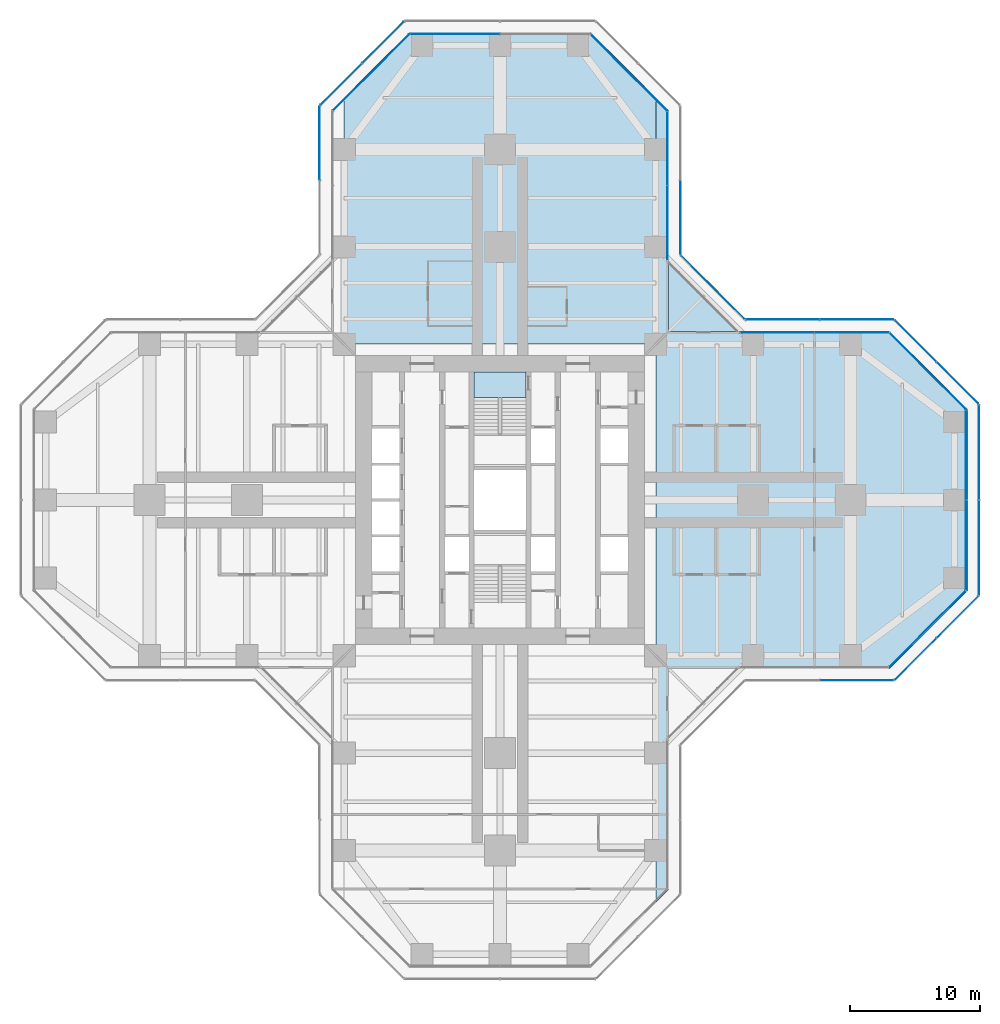
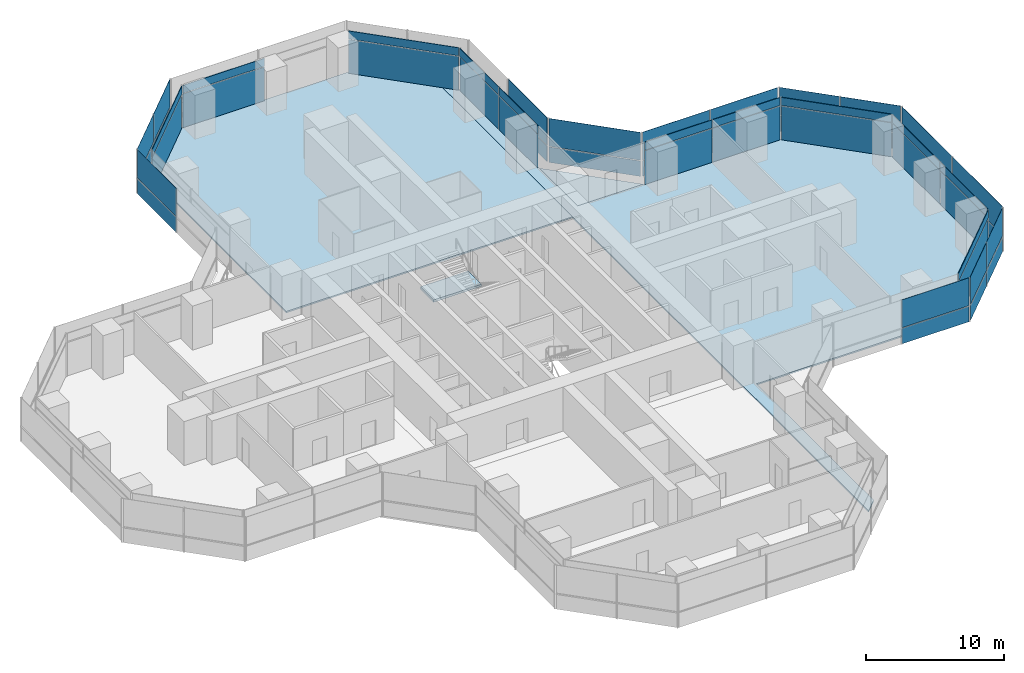
# One storey, part 16 of 22: 50 plates, 4 slabs, 18 elements without a shape of their own.
"""IFC4 building model written with IfcOpenShell, lengths in metres."""

from ifc_helpers import new_model, si_unit, direction, frame, origin, origin_2d, place, context, subcontext, project, spatial, polyline, rectangle, outline, extrude, material, layer, layer_set, type_object, element, aggregate, save


model = new_model("IFC4")

# Units and contexts
model_context = context("Model", 3, precision=1e-05, world=origin(), true_north=direction((0.0, 1.0)))
body_context = subcontext(model_context, "Body", "Model", "MODEL_VIEW")
ifc_project = project(units=[si_unit("LENGTHUNIT", "METRE"), si_unit("AREAUNIT", "SQUARE_METRE"), si_unit("VOLUMEUNIT", "CUBIC_METRE"), si_unit("PLANEANGLEUNIT", "RADIAN"), si_unit("MASSUNIT", "GRAM", prefix="KILO")], contexts=[model_context])

# Site, building, storey
site_placement = place(None, origin())
site = spatial("IfcSite", under=ifc_project, at=site_placement, CompositionType="ELEMENT")
building_placement = place(site_placement, origin())
building = spatial("IfcBuilding", under=site, at=building_placement, Name="Mizan Broadcast Tower", CompositionType="ELEMENT")
storey_placement = place(building_placement, frame((0.0, 0.0, 59.10009765625)))
storey = spatial("IfcBuildingStorey", under=building, at=storey_placement, Name="L11", CompositionType="ELEMENT", Elevation=59.10009765625)

# Slabs
ifc_material_1 = material(Name="Concrete C32/40", Category="concrete")
ifc_layer_1 = layer(ifc_material_1, 0.1298828125)
ifc_layer_set_1 = layer_set([ifc_layer_1], Name="Concrete C32/40")
slab_type_1 = type_object("IfcSlabType", Name="COMPOSITE DECK SLAB 130", PredefinedType="FLOOR", material=ifc_layer_set_1)
slab_1_placement = place(storey_placement, frame((0.0, 0.0, -0.130126953125)))
element("IfcSlab", 1, at=slab_1_placement, inside=storey, type_object=slab_type_1, Name="Floor slab L11 east arm", PredefinedType="FLOOR", context=body_context, shape_type="SweptSolid", body=[
    extrude(outline(polyline([(12.0, -31.0), (13.0, -30.0), (13.0, -13.0), (30.0, -13.0), (36.0, -7.0), (36.0, 7.0), (30.0, 13.0), (13.0, 13.0), (13.0, 30.0), (12.0, 31.0), (12.0, -31.0)])), origin(), (0.0, 0.0, 1.0), 0.130126953125),
])
slab_2_placement = place(storey_placement, frame((0.0, 0.0, -0.130126953125)))
element("IfcSlab", 2, at=slab_2_placement, inside=storey, type_object=slab_type_1, Name="Floor slab L11 north arm", PredefinedType="FLOOR", context=body_context, shape_type="SweptSolid", body=[
    extrude(outline(polyline([(-7.0, 36.0), (-12.0, 31.0), (-12.0, 12.0), (12.0, 12.0), (12.0, 31.0), (7.0, 36.0), (-7.0, 36.0)])), origin(), (0.0, 0.0, 1.0), 0.130126953125),
])

# Curtain wall, plate
ifc_material_2 = material(Name="Aluminium framed glazing", Category="aluminium")
curtain_wall_type_1 = type_object("IfcCurtainWallType", Name="INNER SKIN LOW ZONE", PredefinedType="USERDEFINED", material=ifc_material_2)
curtain_wall_1_placement = place(storey_placement, origin())
curtain_wall_1 = element("IfcCurtainWall", 3, at=curtain_wall_1_placement, inside=storey, type_object=curtain_wall_type_1, Name="Inner skin low zone L11 E chamfer", ObjectType="INNER SKIN LOW ZONE", PredefinedType="USERDEFINED")
ifc_material_3 = material(Name="Double glazing, clear low-e", Category="glass")
ifc_layer_2 = layer(ifc_material_3, 0.028076171875)
ifc_layer_set_2 = layer_set([ifc_layer_2], Name="Double glazing, clear low-e")
plate_type_1 = type_object("IfcPlateType", Name="INNER SKIN GLAZING UNIT", PredefinedType="CURTAIN_PANEL", material=ifc_layer_set_2)
plate_1_placement = place(storey_placement, frame((32.92919921875, -9.92919921875, 0.0), z_axis=(0.0, 0.0, 1.0), x_axis=(0.707106781187, 0.707106781187, 0.0)))
plate_1 = element("IfcPlate", 4, at=plate_1_placement, type_object=plate_type_1, Name="Inner skin low zone L11 E chamfer panel 1.1", PredefinedType="CURTAIN_PANEL", context=body_context, shape_type="SweptSolid", body=[
    extrude(rectangle(XDim=8.282470703125, YDim=0.028076171875, at=origin_2d()), origin(), (0.0, 0.0, 1.0), 3.0),
])

# Curtain wall, plates
curtain_wall_2_placement = place(storey_placement, origin())
curtain_wall_2 = element("IfcCurtainWall", 5, at=curtain_wall_2_placement, inside=storey, type_object=curtain_wall_type_1, Name="Inner skin low zone L11 E end", ObjectType="INNER SKIN LOW ZONE", PredefinedType="USERDEFINED")
plate_2_placement = place(storey_placement, frame((35.89990234375, -3.46435546875, 0.0), z_axis=(0.0, 0.0, 1.0), x_axis=(0.0, 1.0, 0.0)))
plate_2 = element("IfcPlate", 6, at=plate_2_placement, type_object=plate_type_1, Name="Inner skin low zone L11 E end panel 1.1", PredefinedType="CURTAIN_PANEL", context=body_context, shape_type="SweptSolid", body=[
    extrude(rectangle(XDim=6.86865234375, YDim=0.028076171875, at=origin_2d()), origin(), (0.0, 0.0, 1.0), 3.0),
])
plate_3_placement = place(storey_placement, frame((35.89990234375, 3.46435546875, 0.0), z_axis=(0.0, 0.0, 1.0), x_axis=(0.0, 1.0, 0.0)))
plate_3 = element("IfcPlate", 7, at=plate_3_placement, type_object=plate_type_1, Name="Inner skin low zone L11 E end panel 2.1", PredefinedType="CURTAIN_PANEL", context=body_context, shape_type="SweptSolid", body=[
    extrude(rectangle(XDim=6.86865234375, YDim=0.028076171875, at=origin_2d()), origin(), (0.0, 0.0, 1.0), 3.0),
])

# Curtain wall, plate
curtain_wall_3_placement = place(storey_placement, origin())
curtain_wall_3 = element("IfcCurtainWall", 8, at=curtain_wall_3_placement, inside=storey, type_object=curtain_wall_type_1, Name="Inner skin low zone L11 E chamfer", ObjectType="INNER SKIN LOW ZONE", PredefinedType="USERDEFINED")
plate_4_placement = place(storey_placement, frame((32.92919921875, 9.92919921875, 0.0), z_axis=(0.0, 0.0, 1.0), x_axis=(-0.707106781187, 0.707106781187, 0.0)))
plate_4 = element("IfcPlate", 9, at=plate_4_placement, type_object=plate_type_1, Name="Inner skin low zone L11 E chamfer panel 1.1", PredefinedType="CURTAIN_PANEL", context=body_context, shape_type="SweptSolid", body=[
    extrude(rectangle(XDim=8.282470703125, YDim=0.028076171875, at=origin_2d()), origin(), (0.0, 0.0, 1.0), 3.0),
])

# Curtain wall, plates
curtain_wall_4_placement = place(storey_placement, origin())
curtain_wall_4 = element("IfcCurtainWall", 10, at=curtain_wall_4_placement, inside=storey, type_object=curtain_wall_type_1, Name="Inner skin low zone L11 E side", ObjectType="INNER SKIN LOW ZONE", PredefinedType="USERDEFINED")
plate_5_placement = place(storey_placement, frame((27.078857421875, 12.89990234375, 0.0), z_axis=(0.0, 0.0, 1.0), x_axis=(-1.0, 0.0, 0.0)))
plate_5 = element("IfcPlate", 11, at=plate_5_placement, type_object=plate_type_1, Name="Inner skin low zone L11 E side panel 1.1", PredefinedType="CURTAIN_PANEL", context=body_context, shape_type="SweptSolid", body=[
    extrude(rectangle(XDim=5.639404296875, YDim=0.028076171875, at=origin_2d()), origin(), (0.0, 0.0, 1.0), 3.0),
])
plate_6_placement = place(storey_placement, frame((21.379638671875, 12.89990234375, 0.0), z_axis=(0.0, 0.0, 1.0), x_axis=(-1.0, 0.0, 0.0)))
plate_6 = element("IfcPlate", 12, at=plate_6_placement, type_object=plate_type_1, Name="Inner skin low zone L11 E side panel 2.1", PredefinedType="CURTAIN_PANEL", context=body_context, shape_type="SweptSolid", body=[
    extrude(rectangle(XDim=5.639404296875, YDim=0.028076171875, at=origin_2d()), origin(), (0.0, 0.0, 1.0), 3.0),
])

curtain_wall_5_placement = place(storey_placement, origin())
curtain_wall_5 = element("IfcCurtainWall", 13, at=curtain_wall_5_placement, inside=storey, type_object=curtain_wall_type_1, Name="Inner skin low zone L11 N side", ObjectType="INNER SKIN LOW ZONE", PredefinedType="USERDEFINED")
plate_7_placement = place(storey_placement, frame((12.89990234375, 21.379638671875, 0.0), z_axis=(0.0, 0.0, 1.0), x_axis=(0.0, 1.0, 0.0)))
plate_7 = element("IfcPlate", 14, at=plate_7_placement, type_object=plate_type_1, Name="Inner skin low zone L11 N side panel 1.1", PredefinedType="CURTAIN_PANEL", context=body_context, shape_type="SweptSolid", body=[
    extrude(rectangle(XDim=5.639404296875, YDim=0.028076171875, at=origin_2d()), origin(), (0.0, 0.0, 1.0), 3.0),
])
plate_8_placement = place(storey_placement, frame((12.89990234375, 27.078857421875, 0.0), z_axis=(0.0, 0.0, 1.0), x_axis=(0.0, 1.0, 0.0)))
plate_8 = element("IfcPlate", 15, at=plate_8_placement, type_object=plate_type_1, Name="Inner skin low zone L11 N side panel 2.1", PredefinedType="CURTAIN_PANEL", context=body_context, shape_type="SweptSolid", body=[
    extrude(rectangle(XDim=5.639404296875, YDim=0.028076171875, at=origin_2d()), origin(), (0.0, 0.0, 1.0), 3.0),
])

# Curtain wall, plate
curtain_wall_6_placement = place(storey_placement, origin())
curtain_wall_6 = element("IfcCurtainWall", 16, at=curtain_wall_6_placement, inside=storey, type_object=curtain_wall_type_1, Name="Inner skin low zone L11 N chamfer", ObjectType="INNER SKIN LOW ZONE", PredefinedType="USERDEFINED")
plate_9_placement = place(storey_placement, frame((9.92919921875, 32.92919921875, 0.0), z_axis=(0.0, 0.0, 1.0), x_axis=(-0.707106781187, 0.707106781187, 0.0)))
plate_9 = element("IfcPlate", 17, at=plate_9_placement, type_object=plate_type_1, Name="Inner skin low zone L11 N chamfer panel 1.1", PredefinedType="CURTAIN_PANEL", context=body_context, shape_type="SweptSolid", body=[
    extrude(rectangle(XDim=8.282470703125, YDim=0.028076171875, at=origin_2d()), origin(), (0.0, 0.0, 1.0), 3.0),
])

curtain_wall_7_placement = place(storey_placement, origin())
curtain_wall_7 = element("IfcCurtainWall", 18, at=curtain_wall_7_placement, inside=storey, type_object=curtain_wall_type_1, Name="Inner skin low zone L11 N end", ObjectType="INNER SKIN LOW ZONE", PredefinedType="USERDEFINED")
plate_10_placement = place(storey_placement, frame((-3.46435546875, 35.89990234375, 0.0), z_axis=(0.0, 0.0, 1.0), x_axis=(-1.0, 0.0, 0.0)))
plate_10 = element("IfcPlate", 19, at=plate_10_placement, type_object=plate_type_1, Name="Inner skin low zone L11 N end panel 2.1", PredefinedType="CURTAIN_PANEL", context=body_context, shape_type="SweptSolid", body=[
    extrude(rectangle(XDim=6.86865234375, YDim=0.028076171875, at=origin_2d()), origin(), (0.0, 0.0, 1.0), 3.0),
])

curtain_wall_8_placement = place(storey_placement, origin())
curtain_wall_8 = element("IfcCurtainWall", 20, at=curtain_wall_8_placement, inside=storey, type_object=curtain_wall_type_1, Name="Inner skin low zone L11 N chamfer", ObjectType="INNER SKIN LOW ZONE", PredefinedType="USERDEFINED")
plate_11_placement = place(storey_placement, frame((-9.92919921875, 32.92919921875, 0.0), z_axis=(0.0, 0.0, 1.0), x_axis=(-0.707106781187, -0.707106781187, 0.0)))
plate_11 = element("IfcPlate", 21, at=plate_11_placement, type_object=plate_type_1, Name="Inner skin low zone L11 N chamfer panel 1.1", PredefinedType="CURTAIN_PANEL", context=body_context, shape_type="SweptSolid", body=[
    extrude(rectangle(XDim=8.282470703125, YDim=0.028076171875, at=origin_2d()), origin(), (0.0, 0.0, 1.0), 3.0),
])

# Plate
ifc_material_4 = material(Name="Insulated aluminium spandrel panel, pale anodised", Category="aluminium")
ifc_layer_3 = layer(ifc_material_4, 0.050048828125)
ifc_layer_set_3 = layer_set([ifc_layer_3], Name="Insulated aluminium spandrel panel, pale anodised")
plate_type_2 = type_object("IfcPlateType", Name="INNER SKIN SPANDREL PANEL", PredefinedType="CURTAIN_PANEL", material=ifc_layer_set_3)
plate_12_placement = place(storey_placement, frame((32.92919921875, -9.92919921875, 3.059814453125), z_axis=(0.0, 0.0, 1.0), x_axis=(0.707106781187, 0.707106781187, 0.0)))
plate_12 = element("IfcPlate", 22, at=plate_12_placement, type_object=plate_type_2, Name="Inner skin low zone L11 E chamfer panel 1.2", PredefinedType="CURTAIN_PANEL", context=body_context, shape_type="SweptSolid", body=[
    extrude(rectangle(XDim=8.282470703125, YDim=0.050048828125, at=origin_2d()), origin(), (0.0, 0.0, 1.0), 0.7099609375),
])

aggregate(curtain_wall_1, [plate_1, plate_12])

plate_13_placement = place(storey_placement, frame((35.89990234375, -3.46435546875, 3.059814453125), z_axis=(0.0, 0.0, 1.0), x_axis=(0.0, 1.0, 0.0)))
plate_13 = element("IfcPlate", 23, at=plate_13_placement, type_object=plate_type_2, Name="Inner skin low zone L11 E end panel 1.2", PredefinedType="CURTAIN_PANEL", context=body_context, shape_type="SweptSolid", body=[
    extrude(rectangle(XDim=6.86865234375, YDim=0.050048828125, at=origin_2d()), origin(), (0.0, 0.0, 1.0), 0.7099609375),
])

plate_14_placement = place(storey_placement, frame((35.89990234375, 3.46435546875, 3.059814453125), z_axis=(0.0, 0.0, 1.0), x_axis=(0.0, 1.0, 0.0)))
plate_14 = element("IfcPlate", 24, at=plate_14_placement, type_object=plate_type_2, Name="Inner skin low zone L11 E end panel 2.2", PredefinedType="CURTAIN_PANEL", context=body_context, shape_type="SweptSolid", body=[
    extrude(rectangle(XDim=6.86865234375, YDim=0.050048828125, at=origin_2d()), origin(), (0.0, 0.0, 1.0), 0.7099609375),
])

aggregate(curtain_wall_2, [plate_2, plate_13, plate_3, plate_14])

plate_15_placement = place(storey_placement, frame((32.92919921875, 9.92919921875, 3.059814453125), z_axis=(0.0, 0.0, 1.0), x_axis=(-0.707106781187, 0.707106781187, 0.0)))
plate_15 = element("IfcPlate", 25, at=plate_15_placement, type_object=plate_type_2, Name="Inner skin low zone L11 E chamfer panel 1.2", PredefinedType="CURTAIN_PANEL", context=body_context, shape_type="SweptSolid", body=[
    extrude(rectangle(XDim=8.282470703125, YDim=0.050048828125, at=origin_2d()), origin(), (0.0, 0.0, 1.0), 0.7099609375),
])

aggregate(curtain_wall_3, [plate_4, plate_15])

plate_16_placement = place(storey_placement, frame((27.078857421875, 12.89990234375, 3.059814453125), z_axis=(0.0, 0.0, 1.0), x_axis=(-1.0, 0.0, 0.0)))
plate_16 = element("IfcPlate", 26, at=plate_16_placement, type_object=plate_type_2, Name="Inner skin low zone L11 E side panel 1.2", PredefinedType="CURTAIN_PANEL", context=body_context, shape_type="SweptSolid", body=[
    extrude(rectangle(XDim=5.639404296875, YDim=0.050048828125, at=origin_2d()), origin(), (0.0, 0.0, 1.0), 0.7099609375),
])

plate_17_placement = place(storey_placement, frame((21.379638671875, 12.89990234375, 3.059814453125), z_axis=(0.0, 0.0, 1.0), x_axis=(-1.0, 0.0, 0.0)))
plate_17 = element("IfcPlate", 27, at=plate_17_placement, type_object=plate_type_2, Name="Inner skin low zone L11 E side panel 2.2", PredefinedType="CURTAIN_PANEL", context=body_context, shape_type="SweptSolid", body=[
    extrude(rectangle(XDim=5.639404296875, YDim=0.050048828125, at=origin_2d()), origin(), (0.0, 0.0, 1.0), 0.7099609375),
])

aggregate(curtain_wall_4, [plate_5, plate_16, plate_6, plate_17])

plate_18_placement = place(storey_placement, frame((12.89990234375, 21.379638671875, 3.059814453125), z_axis=(0.0, 0.0, 1.0), x_axis=(0.0, 1.0, 0.0)))
plate_18 = element("IfcPlate", 28, at=plate_18_placement, type_object=plate_type_2, Name="Inner skin low zone L11 N side panel 1.2", PredefinedType="CURTAIN_PANEL", context=body_context, shape_type="SweptSolid", body=[
    extrude(rectangle(XDim=5.639404296875, YDim=0.050048828125, at=origin_2d()), origin(), (0.0, 0.0, 1.0), 0.7099609375),
])

plate_19_placement = place(storey_placement, frame((12.89990234375, 27.078857421875, 3.059814453125), z_axis=(0.0, 0.0, 1.0), x_axis=(0.0, 1.0, 0.0)))
plate_19 = element("IfcPlate", 29, at=plate_19_placement, type_object=plate_type_2, Name="Inner skin low zone L11 N side panel 2.2", PredefinedType="CURTAIN_PANEL", context=body_context, shape_type="SweptSolid", body=[
    extrude(rectangle(XDim=5.639404296875, YDim=0.050048828125, at=origin_2d()), origin(), (0.0, 0.0, 1.0), 0.7099609375),
])

aggregate(curtain_wall_5, [plate_7, plate_18, plate_8, plate_19])

plate_20_placement = place(storey_placement, frame((9.92919921875, 32.92919921875, 3.059814453125), z_axis=(0.0, 0.0, 1.0), x_axis=(-0.707106781187, 0.707106781187, 0.0)))
plate_20 = element("IfcPlate", 30, at=plate_20_placement, type_object=plate_type_2, Name="Inner skin low zone L11 N chamfer panel 1.2", PredefinedType="CURTAIN_PANEL", context=body_context, shape_type="SweptSolid", body=[
    extrude(rectangle(XDim=8.282470703125, YDim=0.050048828125, at=origin_2d()), origin(), (0.0, 0.0, 1.0), 0.7099609375),
])

aggregate(curtain_wall_6, [plate_9, plate_20])

plate_21_placement = place(storey_placement, frame((-3.46435546875, 35.89990234375, 3.059814453125), z_axis=(0.0, 0.0, 1.0), x_axis=(-1.0, 0.0, 0.0)))
plate_21 = element("IfcPlate", 31, at=plate_21_placement, type_object=plate_type_2, Name="Inner skin low zone L11 N end panel 2.2", PredefinedType="CURTAIN_PANEL", context=body_context, shape_type="SweptSolid", body=[
    extrude(rectangle(XDim=6.86865234375, YDim=0.050048828125, at=origin_2d()), origin(), (0.0, 0.0, 1.0), 0.7099609375),
])

aggregate(curtain_wall_7, [plate_10, plate_21])

plate_22_placement = place(storey_placement, frame((-9.92919921875, 32.92919921875, 3.059814453125), z_axis=(0.0, 0.0, 1.0), x_axis=(-0.707106781187, -0.707106781187, 0.0)))
plate_22 = element("IfcPlate", 32, at=plate_22_placement, type_object=plate_type_2, Name="Inner skin low zone L11 N chamfer panel 1.2", PredefinedType="CURTAIN_PANEL", context=body_context, shape_type="SweptSolid", body=[
    extrude(rectangle(XDim=8.282470703125, YDim=0.050048828125, at=origin_2d()), origin(), (0.0, 0.0, 1.0), 0.7099609375),
])

aggregate(curtain_wall_8, [plate_11, plate_22])

# Curtain wall, plates
ifc_material_5 = material(Name="Aluminium framed glazing", Category="aluminium")
curtain_wall_type_2 = type_object("IfcCurtainWallType", Name="OUTER SKIN", PredefinedType="USERDEFINED", material=ifc_material_5)
curtain_wall_9_placement = place(storey_placement, origin())
curtain_wall_9 = element("IfcCurtainWall", 33, at=curtain_wall_9_placement, inside=storey, type_object=curtain_wall_type_2, Name="Outer skin L11 E chamfer", ObjectType="OUTER SKIN", PredefinedType="USERDEFINED")
ifc_material_6 = material(Name="Laminated clear glass", Category="glass")
ifc_layer_4 = layer(ifc_material_6, 0.02001953125)
ifc_layer_set_4 = layer_set([ifc_layer_4], Name="Laminated clear glass")
plate_type_3 = type_object("IfcPlateType", Name="OUTER SKIN CLEAR GLASS", PredefinedType="CURTAIN_PANEL", material=ifc_layer_set_4)
plate_23_placement = place(storey_placement, frame((32.018798828125, -12.254150390625, -0.000244140625), z_axis=(0.0, 0.0, 1.0), x_axis=(0.707106781187, 0.707106781187, 0.0)))
plate_23 = element("IfcPlate", 34, at=plate_23_placement, type_object=plate_type_3, Name="Outer skin L11 E chamfer panel 1.1", PredefinedType="CURTAIN_PANEL", context=body_context, shape_type="SweptSolid", body=[
    extrude(rectangle(XDim=4.495361328125, YDim=0.02001953125, at=origin_2d()), origin(), (0.0, 0.0, 1.0), 1.3701171875),
])
plate_24_placement = place(storey_placement, frame((32.018798828125, -12.254150390625, 1.4296875), z_axis=(0.0, 0.0, 1.0), x_axis=(0.707106781187, 0.707106781187, 0.0)))
plate_24 = element("IfcPlate", 35, at=plate_24_placement, type_object=plate_type_3, Name="Outer skin L11 E chamfer panel 1.2", PredefinedType="CURTAIN_PANEL", context=body_context, shape_type="SweptSolid", body=[
    extrude(rectangle(XDim=4.495361328125, YDim=0.02001953125, at=origin_2d()), origin(), (0.0, 0.0, 1.0), 2.469970703125),
])

curtain_wall_10_placement = place(storey_placement, origin())
curtain_wall_10 = element("IfcCurtainWall", 36, at=curtain_wall_10_placement, inside=storey, type_object=curtain_wall_type_2, Name="Outer skin L11 E end", ObjectType="OUTER SKIN", PredefinedType="USERDEFINED")
plate_25_placement = place(storey_placement, frame((36.89990234375, -3.66650390625, -0.000244140625), z_axis=(0.0, 0.0, 1.0), x_axis=(0.0, 1.0, 0.0)))
plate_25 = element("IfcPlate", 37, at=plate_25_placement, type_object=plate_type_3, Name="Outer skin L11 E end panel 1.1", PredefinedType="CURTAIN_PANEL", context=body_context, shape_type="SweptSolid", body=[
    extrude(rectangle(XDim=7.252685546875, YDim=0.02001953125, at=origin_2d()), origin(), (0.0, 0.0, 1.0), 1.3701171875),
])
plate_26_placement = place(storey_placement, frame((36.89990234375, -3.66650390625, 1.4296875), z_axis=(0.0, 0.0, 1.0), x_axis=(0.0, 1.0, 0.0)))
plate_26 = element("IfcPlate", 38, at=plate_26_placement, type_object=plate_type_3, Name="Outer skin L11 E end panel 1.2", PredefinedType="CURTAIN_PANEL", context=body_context, shape_type="SweptSolid", body=[
    extrude(rectangle(XDim=7.252685546875, YDim=0.02001953125, at=origin_2d()), origin(), (0.0, 0.0, 1.0), 2.469970703125),
])

curtain_wall_11_placement = place(storey_placement, origin())
curtain_wall_11 = element("IfcCurtainWall", 39, at=curtain_wall_11_placement, inside=storey, type_object=curtain_wall_type_2, Name="Outer skin L11 E chamfer", ObjectType="OUTER SKIN", PredefinedType="USERDEFINED")
plate_27_placement = place(storey_placement, frame((35.254150390625, 9.018798828125, -0.000244140625), z_axis=(0.0, 0.0, 1.0), x_axis=(-0.707106781187, 0.707106781187, 0.0)))
plate_27 = element("IfcPlate", 40, at=plate_27_placement, type_object=plate_type_3, Name="Outer skin L11 E chamfer panel 1.1", PredefinedType="CURTAIN_PANEL", context=body_context, shape_type="SweptSolid", body=[
    extrude(rectangle(XDim=4.495361328125, YDim=0.02001953125, at=origin_2d()), origin(), (0.0, 0.0, 1.0), 1.3701171875),
])
plate_28_placement = place(storey_placement, frame((35.254150390625, 9.018798828125, 1.4296875), z_axis=(0.0, 0.0, 1.0), x_axis=(-0.707106781187, 0.707106781187, 0.0)))
plate_28 = element("IfcPlate", 41, at=plate_28_placement, type_object=plate_type_3, Name="Outer skin L11 E chamfer panel 1.2", PredefinedType="CURTAIN_PANEL", context=body_context, shape_type="SweptSolid", body=[
    extrude(rectangle(XDim=4.495361328125, YDim=0.02001953125, at=origin_2d()), origin(), (0.0, 0.0, 1.0), 2.469970703125),
])

curtain_wall_12_placement = place(storey_placement, origin())
curtain_wall_12 = element("IfcCurtainWall", 42, at=curtain_wall_12_placement, inside=storey, type_object=curtain_wall_type_2, Name="Outer skin L11 E side", ObjectType="OUTER SKIN", PredefinedType="USERDEFINED")
plate_29_placement = place(storey_placement, frame((27.477783203125, 13.89990234375, -0.000244140625), z_axis=(0.0, 0.0, 1.0), x_axis=(-1.0, 0.0, 0.0)))
plate_29 = element("IfcPlate", 43, at=plate_29_placement, type_object=plate_type_3, Name="Outer skin L11 E side panel 1.1", PredefinedType="CURTAIN_PANEL", context=body_context, shape_type="SweptSolid", body=[
    extrude(rectangle(XDim=5.6298828125, YDim=0.02001953125, at=origin_2d()), origin(), (0.0, 0.0, 1.0), 1.3701171875),
])
plate_30_placement = place(storey_placement, frame((27.477783203125, 13.89990234375, 1.4296875), z_axis=(0.0, 0.0, 1.0), x_axis=(-1.0, 0.0, 0.0)))
plate_30 = element("IfcPlate", 44, at=plate_30_placement, type_object=plate_type_3, Name="Outer skin L11 E side panel 1.2", PredefinedType="CURTAIN_PANEL", context=body_context, shape_type="SweptSolid", body=[
    extrude(rectangle(XDim=5.6298828125, YDim=0.02001953125, at=origin_2d()), origin(), (0.0, 0.0, 1.0), 2.469970703125),
])
plate_31_placement = place(storey_placement, frame((21.767822265625, 13.89990234375, -0.000244140625), z_axis=(0.0, 0.0, 1.0), x_axis=(-1.0, 0.0, 0.0)))
plate_31 = element("IfcPlate", 45, at=plate_31_placement, type_object=plate_type_3, Name="Outer skin L11 E side panel 2.1", PredefinedType="CURTAIN_PANEL", context=body_context, shape_type="SweptSolid", body=[
    extrude(rectangle(XDim=5.6298828125, YDim=0.02001953125, at=origin_2d()), origin(), (0.0, 0.0, 1.0), 1.3701171875),
])
plate_32_placement = place(storey_placement, frame((21.767822265625, 13.89990234375, 1.4296875), z_axis=(0.0, 0.0, 1.0), x_axis=(-1.0, 0.0, 0.0)))
plate_32 = element("IfcPlate", 46, at=plate_32_placement, type_object=plate_type_3, Name="Outer skin L11 E side panel 2.2", PredefinedType="CURTAIN_PANEL", context=body_context, shape_type="SweptSolid", body=[
    extrude(rectangle(XDim=5.6298828125, YDim=0.02001953125, at=origin_2d()), origin(), (0.0, 0.0, 1.0), 2.469970703125),
])
aggregate(curtain_wall_12, [plate_29, plate_30, plate_31, plate_32])

curtain_wall_13_placement = place(storey_placement, origin())
curtain_wall_13 = element("IfcCurtainWall", 47, at=curtain_wall_13_placement, inside=storey, type_object=curtain_wall_type_2, Name="Outer skin L11 E chamfer", ObjectType="OUTER SKIN", PredefinedType="USERDEFINED")
plate_33_placement = place(storey_placement, frame((16.386474609375, 16.386474609375, -0.000244140625), z_axis=(0.0, 0.0, 1.0), x_axis=(-0.707106781187, 0.707106781187, 0.0)))
plate_33 = element("IfcPlate", 48, at=plate_33_placement, type_object=plate_type_3, Name="Outer skin L11 E chamfer panel 1.1", PredefinedType="CURTAIN_PANEL", context=body_context, shape_type="SweptSolid", body=[
    extrude(rectangle(XDim=6.87255859375, YDim=0.02001953125, at=origin_2d()), origin(), (0.0, 0.0, 1.0), 1.3701171875),
])
plate_34_placement = place(storey_placement, frame((16.386474609375, 16.386474609375, 1.4296875), z_axis=(0.0, 0.0, 1.0), x_axis=(-0.707106781187, 0.707106781187, 0.0)))
plate_34 = element("IfcPlate", 49, at=plate_34_placement, type_object=plate_type_3, Name="Outer skin L11 E chamfer panel 1.2", PredefinedType="CURTAIN_PANEL", context=body_context, shape_type="SweptSolid", body=[
    extrude(rectangle(XDim=6.87255859375, YDim=0.02001953125, at=origin_2d()), origin(), (0.0, 0.0, 1.0), 2.469970703125),
])
aggregate(curtain_wall_13, [plate_33, plate_34])

curtain_wall_14_placement = place(storey_placement, origin())
curtain_wall_14 = element("IfcCurtainWall", 50, at=curtain_wall_14_placement, inside=storey, type_object=curtain_wall_type_2, Name="Outer skin L11 N side", ObjectType="OUTER SKIN", PredefinedType="USERDEFINED")
plate_35_placement = place(storey_placement, frame((13.89990234375, 21.767822265625, -0.000244140625), z_axis=(0.0, 0.0, 1.0), x_axis=(0.0, 1.0, 0.0)))
plate_35 = element("IfcPlate", 51, at=plate_35_placement, type_object=plate_type_3, Name="Outer skin L11 N side panel 1.1", PredefinedType="CURTAIN_PANEL", context=body_context, shape_type="SweptSolid", body=[
    extrude(rectangle(XDim=5.6298828125, YDim=0.02001953125, at=origin_2d()), origin(), (0.0, 0.0, 1.0), 1.3701171875),
])
plate_36_placement = place(storey_placement, frame((13.89990234375, 21.767822265625, 1.4296875), z_axis=(0.0, 0.0, 1.0), x_axis=(0.0, 1.0, 0.0)))
plate_36 = element("IfcPlate", 52, at=plate_36_placement, type_object=plate_type_3, Name="Outer skin L11 N side panel 1.2", PredefinedType="CURTAIN_PANEL", context=body_context, shape_type="SweptSolid", body=[
    extrude(rectangle(XDim=5.6298828125, YDim=0.02001953125, at=origin_2d()), origin(), (0.0, 0.0, 1.0), 2.469970703125),
])
aggregate(curtain_wall_14, [plate_35, plate_36])

curtain_wall_15_placement = place(storey_placement, origin())
curtain_wall_15 = element("IfcCurtainWall", 53, at=curtain_wall_15_placement, inside=storey, type_object=curtain_wall_type_2, Name="Outer skin L11 N chamfer", ObjectType="OUTER SKIN", PredefinedType="USERDEFINED")
plate_37_placement = place(storey_placement, frame((-9.018798828125, 35.254150390625, -0.000244140625), z_axis=(0.0, 0.0, 1.0), x_axis=(-0.707106781187, -0.707106781187, 0.0)))
plate_37 = element("IfcPlate", 54, at=plate_37_placement, type_object=plate_type_3, Name="Outer skin L11 N chamfer panel 1.1", PredefinedType="CURTAIN_PANEL", context=body_context, shape_type="SweptSolid", body=[
    extrude(rectangle(XDim=4.495361328125, YDim=0.02001953125, at=origin_2d()), origin(), (0.0, 0.0, 1.0), 1.3701171875),
])
plate_38_placement = place(storey_placement, frame((-9.018798828125, 35.254150390625, 1.4296875), z_axis=(0.0, 0.0, 1.0), x_axis=(-0.707106781187, -0.707106781187, 0.0)))
plate_38 = element("IfcPlate", 55, at=plate_38_placement, type_object=plate_type_3, Name="Outer skin L11 N chamfer panel 1.2", PredefinedType="CURTAIN_PANEL", context=body_context, shape_type="SweptSolid", body=[
    extrude(rectangle(XDim=4.495361328125, YDim=0.02001953125, at=origin_2d()), origin(), (0.0, 0.0, 1.0), 2.469970703125),
])

curtain_wall_16_placement = place(storey_placement, origin())
curtain_wall_16 = element("IfcCurtainWall", 56, at=curtain_wall_16_placement, inside=storey, type_object=curtain_wall_type_2, Name="Outer skin L11 N side", ObjectType="OUTER SKIN", PredefinedType="USERDEFINED")
plate_39_placement = place(storey_placement, frame((-13.89990234375, 27.477783203125, -0.000244140625), z_axis=(0.0, 0.0, 1.0), x_axis=(0.0, -1.0, 0.0)))
plate_39 = element("IfcPlate", 57, at=plate_39_placement, type_object=plate_type_3, Name="Outer skin L11 N side panel 1.1", PredefinedType="CURTAIN_PANEL", context=body_context, shape_type="SweptSolid", body=[
    extrude(rectangle(XDim=5.6298828125, YDim=0.02001953125, at=origin_2d()), origin(), (0.0, 0.0, 1.0), 1.3701171875),
])
plate_40_placement = place(storey_placement, frame((-13.89990234375, 27.477783203125, 1.4296875), z_axis=(0.0, 0.0, 1.0), x_axis=(0.0, -1.0, 0.0)))
plate_40 = element("IfcPlate", 58, at=plate_40_placement, type_object=plate_type_3, Name="Outer skin L11 N side panel 1.2", PredefinedType="CURTAIN_PANEL", context=body_context, shape_type="SweptSolid", body=[
    extrude(rectangle(XDim=5.6298828125, YDim=0.02001953125, at=origin_2d()), origin(), (0.0, 0.0, 1.0), 2.469970703125),
])
aggregate(curtain_wall_16, [plate_39, plate_40])

# Plate
ifc_material_7 = material(Name="Perforated aluminium, pale anodised", Category="aluminium")
ifc_layer_5 = layer(ifc_material_7, 0.011962890625)
ifc_layer_set_5 = layer_set([ifc_layer_5], Name="Perforated aluminium, pale anodised")
plate_type_4 = type_object("IfcPlateType", Name="OUTER SKIN PERFORATED SCREEN", PredefinedType="USERDEFINED", material=ifc_layer_set_5)
plate_41_placement = place(storey_placement, frame((35.254150390625, -9.018798828125, -0.000244140625), z_axis=(0.0, 0.0, 1.0), x_axis=(0.707106781187, 0.707106781187, 0.0)))
plate_41 = element("IfcPlate", 59, at=plate_41_placement, type_object=plate_type_4, Name="Outer skin L11 E chamfer panel 2.1", ObjectType="SCREEN", PredefinedType="USERDEFINED", context=body_context, shape_type="SweptSolid", body=[
    extrude(rectangle(XDim=4.495361328125, YDim=0.011962890625, at=origin_2d()), origin(), (0.0, 0.0, 1.0), 1.3701171875),
])

plate_42_placement = place(storey_placement, frame((35.254150390625, -9.018798828125, 1.4296875), z_axis=(0.0, 0.0, 1.0), x_axis=(0.707106781187, 0.707106781187, 0.0)))
plate_42 = element("IfcPlate", 60, at=plate_42_placement, type_object=plate_type_4, Name="Outer skin L11 E chamfer panel 2.2", ObjectType="SCREEN", PredefinedType="USERDEFINED", context=body_context, shape_type="SweptSolid", body=[
    extrude(rectangle(XDim=4.495361328125, YDim=0.011962890625, at=origin_2d()), origin(), (0.0, 0.0, 1.0), 2.469970703125),
])

aggregate(curtain_wall_9, [plate_23, plate_24, plate_41, plate_42])

plate_43_placement = place(storey_placement, frame((36.89990234375, 3.66650390625, -0.000244140625), z_axis=(0.0, 0.0, 1.0), x_axis=(0.0, 1.0, 0.0)))
plate_43 = element("IfcPlate", 61, at=plate_43_placement, type_object=plate_type_4, Name="Outer skin L11 E end panel 2.1", ObjectType="SCREEN", PredefinedType="USERDEFINED", context=body_context, shape_type="SweptSolid", body=[
    extrude(rectangle(XDim=7.252685546875, YDim=0.011962890625, at=origin_2d()), origin(), (0.0, 0.0, 1.0), 1.3701171875),
])

plate_44_placement = place(storey_placement, frame((36.89990234375, 3.66650390625, 1.4296875), z_axis=(0.0, 0.0, 1.0), x_axis=(0.0, 1.0, 0.0)))
plate_44 = element("IfcPlate", 62, at=plate_44_placement, type_object=plate_type_4, Name="Outer skin L11 E end panel 2.2", ObjectType="SCREEN", PredefinedType="USERDEFINED", context=body_context, shape_type="SweptSolid", body=[
    extrude(rectangle(XDim=7.252685546875, YDim=0.011962890625, at=origin_2d()), origin(), (0.0, 0.0, 1.0), 2.469970703125),
])

aggregate(curtain_wall_10, [plate_25, plate_26, plate_43, plate_44])

plate_45_placement = place(storey_placement, frame((32.018798828125, 12.254150390625, -0.000244140625), z_axis=(0.0, 0.0, 1.0), x_axis=(-0.707106781187, 0.707106781187, 0.0)))
plate_45 = element("IfcPlate", 63, at=plate_45_placement, type_object=plate_type_4, Name="Outer skin L11 E chamfer panel 2.1", ObjectType="SCREEN", PredefinedType="USERDEFINED", context=body_context, shape_type="SweptSolid", body=[
    extrude(rectangle(XDim=4.495361328125, YDim=0.011962890625, at=origin_2d()), origin(), (0.0, 0.0, 1.0), 1.3701171875),
])

plate_46_placement = place(storey_placement, frame((32.018798828125, 12.254150390625, 1.4296875), z_axis=(0.0, 0.0, 1.0), x_axis=(-0.707106781187, 0.707106781187, 0.0)))
plate_46 = element("IfcPlate", 64, at=plate_46_placement, type_object=plate_type_4, Name="Outer skin L11 E chamfer panel 2.2", ObjectType="SCREEN", PredefinedType="USERDEFINED", context=body_context, shape_type="SweptSolid", body=[
    extrude(rectangle(XDim=4.495361328125, YDim=0.011962890625, at=origin_2d()), origin(), (0.0, 0.0, 1.0), 2.469970703125),
])

aggregate(curtain_wall_11, [plate_27, plate_28, plate_45, plate_46])

plate_47_placement = place(storey_placement, frame((-12.254150390625, 32.018798828125, -0.000244140625), z_axis=(0.0, 0.0, 1.0), x_axis=(-0.707106781187, -0.707106781187, 0.0)))
plate_47 = element("IfcPlate", 65, at=plate_47_placement, type_object=plate_type_4, Name="Outer skin L11 N chamfer panel 2.1", ObjectType="SCREEN", PredefinedType="USERDEFINED", context=body_context, shape_type="SweptSolid", body=[
    extrude(rectangle(XDim=4.495361328125, YDim=0.011962890625, at=origin_2d()), origin(), (0.0, 0.0, 1.0), 1.3701171875),
])

plate_48_placement = place(storey_placement, frame((-12.254150390625, 32.018798828125, 1.4296875), z_axis=(0.0, 0.0, 1.0), x_axis=(-0.707106781187, -0.707106781187, 0.0)))
plate_48 = element("IfcPlate", 66, at=plate_48_placement, type_object=plate_type_4, Name="Outer skin L11 N chamfer panel 2.2", ObjectType="SCREEN", PredefinedType="USERDEFINED", context=body_context, shape_type="SweptSolid", body=[
    extrude(rectangle(XDim=4.495361328125, YDim=0.011962890625, at=origin_2d()), origin(), (0.0, 0.0, 1.0), 2.469970703125),
])

aggregate(curtain_wall_15, [plate_37, plate_38, plate_47, plate_48])

# Curtain wall, plates
curtain_wall_17_placement = place(storey_placement, origin())
curtain_wall_17 = element("IfcCurtainWall", 67, at=curtain_wall_17_placement, inside=storey, type_object=curtain_wall_type_2, Name="Outer skin L11 E side", ObjectType="OUTER SKIN", PredefinedType="USERDEFINED")
plate_49_placement = place(storey_placement, frame((27.477783203125, -13.89990234375, -0.000244140625), z_axis=(0.0, 0.0, 1.0), x_axis=(1.0, 0.0, 0.0)))
plate_49 = element("IfcPlate", 68, at=plate_49_placement, type_object=plate_type_4, Name="Outer skin L11 E side panel 2.1", ObjectType="SCREEN", PredefinedType="USERDEFINED", context=body_context, shape_type="SweptSolid", body=[
    extrude(rectangle(XDim=5.6298828125, YDim=0.011962890625, at=origin_2d()), origin(), (0.0, 0.0, 1.0), 1.3701171875),
])
plate_50_placement = place(storey_placement, frame((27.477783203125, -13.89990234375, 1.4296875), z_axis=(0.0, 0.0, 1.0), x_axis=(1.0, 0.0, 0.0)))
plate_50 = element("IfcPlate", 69, at=plate_50_placement, type_object=plate_type_4, Name="Outer skin L11 E side panel 2.2", ObjectType="SCREEN", PredefinedType="USERDEFINED", context=body_context, shape_type="SweptSolid", body=[
    extrude(rectangle(XDim=5.6298828125, YDim=0.011962890625, at=origin_2d()), origin(), (0.0, 0.0, 1.0), 2.469970703125),
])
aggregate(curtain_wall_17, [plate_49, plate_50])

# Stair, slab
ifc_material_8 = material(Name="Concrete C40/50", Category="concrete")
stair_type = type_object("IfcStairType", Name="EXIT STAIR", PredefinedType="HALF_TURN_STAIR", material=ifc_material_8)
stair_placement = place(storey_placement, origin())
stair = element("IfcStair", 70, at=stair_placement, inside=storey, type_object=stair_type, Name="Stair B L11", PredefinedType="HALF_TURN_STAIR")
ifc_material_9 = material(Name="Concrete C40/50", Category="concrete")
ifc_layer_6 = layer(ifc_material_9, 0.199951171875)
ifc_layer_set_6 = layer_set([ifc_layer_6], Name="Concrete C40/50")
slab_type_2 = type_object("IfcSlabType", Name="STAIR LANDING 200", PredefinedType="LANDING", material=ifc_layer_set_6)
slab_3_placement = place(storey_placement, frame((0.0, 0.0, -0.2001953125)))
slab_3 = element("IfcSlab", 71, at=slab_3_placement, type_object=slab_type_2, Name="B landing 1", PredefinedType="LANDING", context=body_context, shape_type="SweptSolid", body=[
    extrude(outline(polyline([(2.0, 9.85009765625), (2.0, 7.89990234375), (-2.0, 7.89990234375), (-2.0, 9.85009765625), (2.0, 9.85009765625)])), origin(), (0.0, 0.0, 1.0), 0.2001953125),
])
aggregate(stair, [slab_3])

# Slab
ifc_material_10 = material(Name="Concrete C32/40", Category="concrete")
ifc_layer_7 = layer(ifc_material_10, 0.1298828125)
ifc_layer_set_7 = layer_set([ifc_layer_7], Name="Concrete C32/40")
slab_type_3 = type_object("IfcSlabType", Name="WINTER GARDEN SLAB 130", PredefinedType="FLOOR", material=ifc_layer_set_7)
slab_4_placement = place(storey_placement, frame((0.0, 0.0, -0.130126953125)))
element("IfcSlab", 72, at=slab_4_placement, inside=storey, type_object=slab_type_3, Name="Winter garden slab L11 E", PredefinedType="FLOOR", context=body_context, shape_type="SweptSolid", body=[
    extrude(outline(polyline([(13.0, 13.0), (18.5, 13.0), (13.0, 18.5), (13.0, 13.0)])), origin(), (0.0, 0.0, 1.0), 0.130126953125),
])

save(model, "model.ifc")
